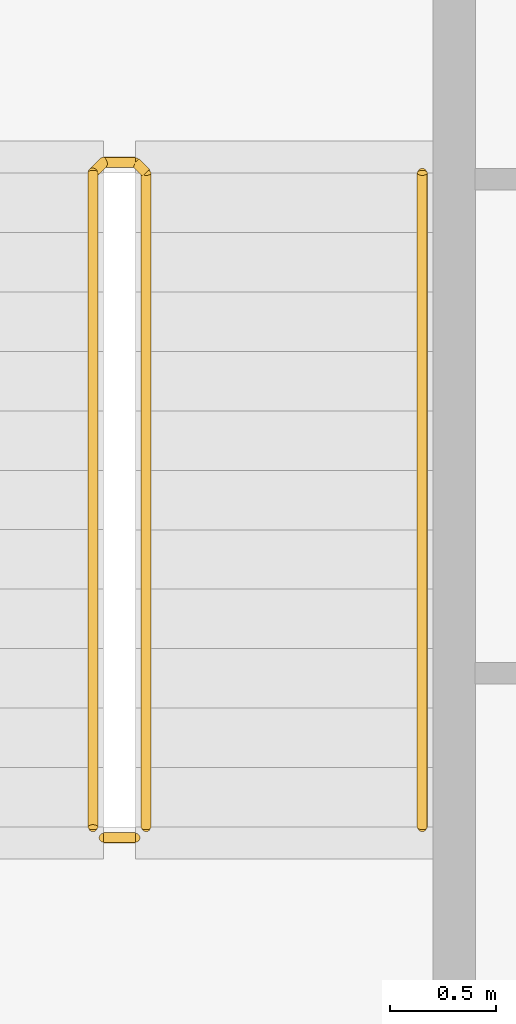
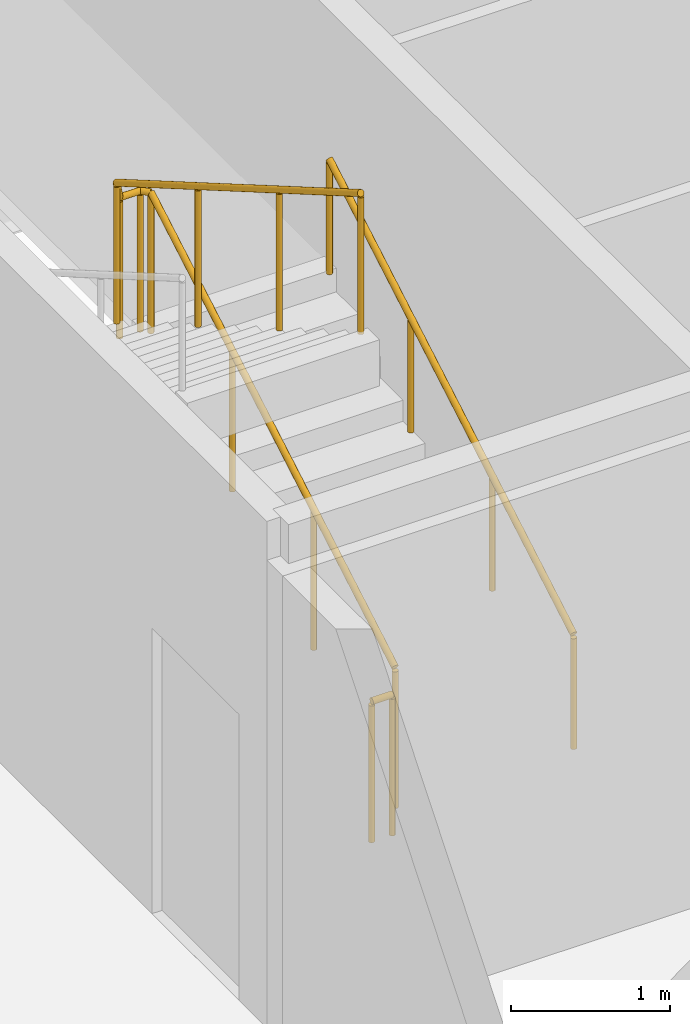
# One storey, part 27 of 28: 3 railings.
"""IFC4 building model written with IfcOpenShell, lengths in metres."""

import ifcopenshell
import ifcopenshell.guid

model = None  # the IFC model being written
_history = None  # IfcOwnerHistory: only IFC2X3 demands one
_inside = {}  # id of a spatial element -> (the spatial element, [elements in it])
_under = {}  # id of a project, library or spatial element -> (it, [spatial elements below it])
_declared = {}  # id of a project -> (the project, [libraries it declares])
_typed = {}  # id of a type object -> (the type object, [elements of that type])
_made_of = {}  # id of a material, layer set ... -> (it, [elements and type objects made of it])


def new_model(schema):
    """Start an empty IFC model of exactly this schema.

    Asked for "IFC4X3", IfcOpenShell would pick the latest addendum, in which some entities
    have other attributes; the version numbers below select the first issue.
    IFC2X3 requires an IfcOwnerHistory on every rooted entity: one is made here for all.
    """
    global model, _history
    if schema == "IFC4X3":
        model = ifcopenshell.file(schema_version=(4, 3, 0, 0))
    else:
        model = ifcopenshell.file(schema=schema)
    _inside.clear()
    _under.clear()
    _declared.clear()
    _typed.clear()
    _made_of.clear()
    _history = None
    if model.schema == "IFC2X3":
        org = make("IfcOrganization", Name="unknown")
        user = make(
            "IfcPersonAndOrganization",
            ThePerson=make("IfcPerson", FamilyName="unknown"),
            TheOrganization=org,
        )
        app = make(
            "IfcApplication",
            ApplicationDeveloper=org,
            Version="unknown",
            ApplicationFullName="unknown",
            ApplicationIdentifier="unknown",
        )
        _history = make(
            "IfcOwnerHistory",
            OwningUser=user,
            OwningApplication=app,
            ChangeAction="ADDED",
            CreationDate=0,
        )
    return model


def make(cls, **values):
    """One entity of the class cls with the attributes given. An attribute that is None is left unset."""
    return model.create_entity(
        cls, **{name: value for name, value in values.items() if value is not None}
    )


def rooted(cls, **values):
    """An entity with a GlobalId (a new one), such as an element, a storey or a relation."""
    return make(cls, GlobalId=ifcopenshell.guid.new(), OwnerHistory=_history, **values)


def si_unit(unit_type, name, prefix=None):
    """IfcSIUnit, for example si_unit("LENGTHUNIT", "METRE", prefix="MILLI")."""
    return make("IfcSIUnit", UnitType=unit_type, Prefix=prefix, Name=name)


def assignment(units):
    """IfcUnitAssignment: the units of a project."""
    return None if units is None else make("IfcUnitAssignment", Units=units)


def point(xyz):
    """IfcCartesianPoint."""
    return None if xyz is None else make("IfcCartesianPoint", Coordinates=xyz)


def direction(xyz):
    """IfcDirection."""
    return None if xyz is None else make("IfcDirection", DirectionRatios=xyz)


def frame(location, z_axis=None, x_axis=None):
    """IfcAxis2Placement3D, a coordinate frame: its origin and axes. An axis left out is left unset."""
    return make(
        "IfcAxis2Placement3D",
        Location=point(location),
        Axis=direction(z_axis),
        RefDirection=direction(x_axis),
    )


def frame_2d(location, x_axis=None):
    """IfcAxis2Placement2D, a coordinate frame in the plane: its origin and x axis."""
    return make(
        "IfcAxis2Placement2D", Location=point(location), RefDirection=direction(x_axis)
    )


def origin():
    """The frame at (0, 0, 0) with its axes left unset."""
    return frame((0.0, 0.0, 0.0))


def origin_2d():
    """The frame at (0, 0) in the plane with its x axis left unset."""
    return frame_2d((0.0, 0.0))


def place(relative_to, where):
    """IfcLocalPlacement: puts the frame where relative to a parent placement (None: the world)."""
    return make(
        "IfcLocalPlacement", PlacementRelTo=relative_to, RelativePlacement=where
    )


def context(
    kind, dimensions, precision=None, world=None, true_north=None, identifier=None
):
    """IfcGeometricRepresentationContext, for example the 3D "Model" context."""
    return make(
        "IfcGeometricRepresentationContext",
        ContextIdentifier=identifier,
        ContextType=kind,
        CoordinateSpaceDimension=dimensions,
        Precision=precision,
        WorldCoordinateSystem=world,
        TrueNorth=true_north,
    )


def subcontext(parent, identifier, kind, view, scale=None):
    """IfcGeometricRepresentationSubContext, for example "Body" below "Model"."""
    return make(
        "IfcGeometricRepresentationSubContext",
        ContextIdentifier=identifier,
        ContextType=kind,
        ParentContext=parent,
        TargetScale=scale,
        TargetView=view,
    )


def project(units=None, contexts=None):
    """IfcProject with its units and contexts."""
    return rooted(
        "IfcProject",
        Name="project",
        RepresentationContexts=contexts,
        UnitsInContext=assignment(units),
    )


def spatial(cls, under=None, at=None, **own):
    """A site, building, storey or space (cls), placed at a placement, below another one or the project."""
    s = rooted(cls, ObjectPlacement=at, **own)
    if under is not None:
        _under.setdefault(under.id(), (under, []))[1].append(s)
    return s


def profile(cls, at=None, kind="AREA", **sizes):
    """A parametric profile (cls). Its sizes go by their IFC names, for example OverallWidth=200.0."""
    return make(cls, ProfileType=kind, Position=at, **sizes)


def circle(**sizes):
    """IfcCircleProfileDef."""
    return profile("IfcCircleProfileDef", **sizes)


def extrude(swept, where, along, depth):
    """IfcExtrudedAreaSolid: the profile swept, set in the frame where, extruded along a direction by depth."""
    return make(
        "IfcExtrudedAreaSolid",
        SweptArea=swept,
        Position=where,
        ExtrudedDirection=direction(along),
        Depth=depth,
    )


def shape(context_of_items, identifier, shape_type, items):
    """IfcShapeRepresentation: the items that make up one representation, for example the "Body"."""
    return make(
        "IfcShapeRepresentation",
        ContextOfItems=context_of_items,
        RepresentationIdentifier=identifier,
        RepresentationType=shape_type,
        Items=items,
    )


def material(Name=None, Category=None):
    """IfcMaterial."""
    return make("IfcMaterial", Name=Name, Category=Category)


def made_of(thing, what):
    """Note that an element or type object is made of a material, layer set ...; save() writes the relation."""
    if what is not None:
        _made_of.setdefault(what.id(), (what, []))[1].append(thing)
    return thing


def type_object(cls, material=None, **own):
    """A type object (cls), such as IfcWallType, which elements share."""
    return made_of(rooted(cls, **own), material)


def element(
    cls,
    number,
    at=None,
    inside=None,
    cuts=None,
    type_object=None,
    material=None,
    context=None,
    identifier="Body",
    shape_type=None,
    held_by="IfcProductDefinitionShape",
    body=None,
    shapes=None,
    **own,
):
    """One element of the class cls, such as IfcWall. Its Tag is "e" and its number.

    at: its placement. inside: the storey or other place that contains it. cuts: it is an
    opening in that element (IfcRelVoidsElement). A single representation is given by context,
    identifier, shape_type and body (its items); several are given by shapes. held_by: the class
    of the entity that holds the representations. save() writes the other relations.
    """
    e = rooted(cls, Tag="e%d" % number, ObjectPlacement=at, **own)
    if body is not None:
        shapes = [shape(context, identifier, shape_type, body)]
    if shapes is not None:
        e.Representation = make(held_by, Representations=shapes)
    if inside is not None:
        _inside.setdefault(inside.id(), (inside, []))[1].append(e)
    if cuts is not None:
        rooted(
            "IfcRelVoidsElement", RelatingBuildingElement=cuts, RelatedOpeningElement=e
        )
    if type_object is not None:
        _typed.setdefault(type_object.id(), (type_object, []))[1].append(e)
    return made_of(e, material)


def aggregate(whole, parts):
    """IfcRelAggregates: a whole, such as a stair, and the parts it consists of."""
    return rooted("IfcRelAggregates", RelatingObject=whole, RelatedObjects=parts)


def save(model, path):
    """Write the relations noted so far, then the file.

    IfcRelAggregates (storeys below a building ...), IfcRelContainedInSpatialStructure (elements
    in a storey), IfcRelDefinesByType, IfcRelAssociatesMaterial and IfcRelDeclares: one each for
    every whole, place, type object, material and project.
    """
    for whole, parts in _under.values():
        aggregate(whole, parts)
    for where, things in _inside.values():
        rooted(
            "IfcRelContainedInSpatialStructure",
            RelatedElements=things,
            RelatingStructure=where,
        )
    for kind, things in _typed.values():
        rooted("IfcRelDefinesByType", RelatedObjects=things, RelatingType=kind)
    for what, things in _made_of.values():
        rooted("IfcRelAssociatesMaterial", RelatedObjects=things, RelatingMaterial=what)
    for by, libraries in _declared.values():
        rooted("IfcRelDeclares", RelatingContext=by, RelatedDefinitions=libraries)
    model.write(path)


model = new_model("IFC4")

# Units and contexts
model_context = context("Model", 3, precision=1e-05, world=origin(), true_north=direction((0.0, 1.0)))
body_context = subcontext(model_context, "Body", "Model", "MODEL_VIEW")
ifc_project = project(units=[si_unit("LENGTHUNIT", "METRE"), si_unit("AREAUNIT", "SQUARE_METRE"), si_unit("VOLUMEUNIT", "CUBIC_METRE"), si_unit("PLANEANGLEUNIT", "RADIAN"), si_unit("MASSUNIT", "GRAM", prefix="KILO")], contexts=[model_context])

# Site, building, storey
site_placement = place(None, origin())
site = spatial("IfcSite", under=ifc_project, at=site_placement, CompositionType="ELEMENT")
building_placement = place(site_placement, origin())
building = spatial("IfcBuilding", under=site, at=building_placement, Name="Kheshtan School and Residences Tower", CompositionType="ELEMENT")
storey_placement = place(building_placement, frame((0.0, 0.0, 73.39990234375)))
storey = spatial("IfcBuildingStorey", under=building, at=storey_placement, Name="L17", CompositionType="ELEMENT", Elevation=73.39990234375)

# Railings
ifc_material_1 = material(Name="Stainless steel balustrade", Category="steel")
railing_type_1 = type_object("IfcRailingType", Name="Stair guard 1100", PredefinedType="GUARDRAIL", material=ifc_material_1)
railing_1_placement = place(storey_placement, frame((35.0, 80.89990234375, 0.16259765625)))
element("IfcRailing", 1, at=railing_1_placement, inside=storey, type_object=railing_type_1, Name="L17 ST3 stair guard 1", PredefinedType="GUARDRAIL", context=body_context, shape_type="SweptSolid", body=[
    extrude(circle(Radius=0.02392578125, at=origin_2d()), frame((0.0, 0.0, 1.076171875), z_axis=(0.0, 0.864890721111, 0.501960198159), x_axis=(-1.0, 0.0, 0.0)), (0.0, 0.0, 1.0), 3.561279296875),
    extrude(circle(Radius=0.02392578125, at=origin_2d()), frame((0.0, 3.080078125, 2.86376953125), z_axis=(-0.707106781187, 0.707106781187, 0.0), x_axis=(-0.707106781187, -0.707106781187, 0.0)), (0.0, 0.0, 1.0), 0.07080078125),
    extrude(circle(Radius=0.02392578125, at=origin_2d()), frame((-0.050048828125, 3.130126953125, 2.86376953125), z_axis=(-1.0, 0.0, 0.0), x_axis=(0.0, -1.0, 0.0)), (0.0, 0.0, 1.0), 0.14990234375),
    extrude(circle(Radius=0.02392578125, at=origin_2d()), frame((-0.199951171875, 3.130126953125, 2.86376953125), z_axis=(-0.282583949758, -0.282583949758, 0.916674763849), x_axis=(0.707106781187, -0.707106781187, 0.0)), (0.0, 0.0, 1.0), 0.177001953125),
    extrude(circle(Radius=0.02392578125, at=origin_2d()), frame((-0.25, 3.080078125, 3.02587890625), z_axis=(0.0, -0.864890721111, 0.501960198159), x_axis=(1.0, 0.0, 0.0)), (0.0, 0.0, 1.0), 3.561279296875),
    extrude(circle(Radius=0.02099609375, at=origin_2d()), origin(), (0.0, 0.0, 1.0), 1.052001953125),
    extrude(circle(Radius=0.02099609375, at=origin_2d()), frame((0.0, 1.026611328125, 0.595947265625)), (0.0, 0.0, 1.0), 1.052001953125),
    extrude(circle(Radius=0.02099609375, at=origin_2d()), frame((0.0, 2.053466796875, 1.191650390625)), (0.0, 0.0, 1.0), 1.052001953125),
    extrude(circle(Radius=0.02099609375, at=origin_2d()), frame((0.0, 3.080078125, 1.78759765625)), (0.0, 0.0, 1.0), 1.052001953125),
    extrude(circle(Radius=0.02099609375, at=origin_2d()), frame((-0.050048828125, 3.130126953125, 1.78759765625)), (0.0, 0.0, 1.0), 1.052001953125),
    extrude(circle(Radius=0.02099609375, at=origin_2d()), frame((-0.199951171875, 3.130126953125, 1.78759765625)), (0.0, 0.0, 1.0), 1.052001953125),
    extrude(circle(Radius=0.02099609375, at=origin_2d()), frame((-0.25, 3.080078125, 1.949951171875)), (0.0, 0.0, 1.0), 1.052001953125),
    extrude(circle(Radius=0.02099609375, at=origin_2d()), frame((-0.25, 2.053466796875, 2.5458984375)), (0.0, 0.0, 1.0), 1.052001953125),
    extrude(circle(Radius=0.02099609375, at=origin_2d()), frame((-0.25, 1.026611328125, 3.1416015625)), (0.0, 0.0, 1.0), 1.052001953125),
    extrude(circle(Radius=0.02099609375, at=origin_2d()), frame((-0.25, 0.0, 3.737548828125)), (0.0, 0.0, 1.0), 1.052001953125),
])
railing_2_placement = place(storey_placement, frame((34.949951171875, 80.85009765625, 0.0)))
element("IfcRailing", 2, at=railing_2_placement, inside=storey, type_object=railing_type_1, Name="L17 ST3 stair guard 2", PredefinedType="GUARDRAIL", context=body_context, shape_type="SweptSolid", body=[
    extrude(circle(Radius=0.02392578125, at=origin_2d()), frame((0.0, 0.0, 1.076171875), z_axis=(-1.0, 0.0, 0.0), x_axis=(0.0, -1.0, 0.0)), (0.0, 0.0, 1.0), 0.14990234375),
    extrude(circle(Radius=0.02099609375, at=origin_2d()), origin(), (0.0, 0.0, 1.0), 1.052001953125),
    extrude(circle(Radius=0.02099609375, at=origin_2d()), frame((-0.14990234375, 0.0, 0.0)), (0.0, 0.0, 1.0), 1.052001953125),
])
ifc_material_2 = material(Name="Stainless steel handrail", Category="steel")
railing_type_2 = type_object("IfcRailingType", Name="Stair handrail 900", PredefinedType="HANDRAIL", material=ifc_material_2)
railing_3_placement = place(storey_placement, frame((36.300048828125, 80.89990234375, 0.16259765625)))
element("IfcRailing", 3, at=railing_3_placement, inside=storey, type_object=railing_type_2, Name="L17 ST3 stair handrail 1", PredefinedType="HANDRAIL", context=body_context, shape_type="SweptSolid", body=[
    extrude(circle(Radius=0.02392578125, at=origin_2d()), frame((0.0, 0.0, 0.8759765625), z_axis=(0.0, 0.864890721111, 0.501960198159), x_axis=(-1.0, 0.0, 0.0)), (0.0, 0.0, 1.0), 3.561279296875),
    extrude(circle(Radius=0.02099609375, at=origin_2d()), origin(), (0.0, 0.0, 1.0), 0.851806640625),
    extrude(circle(Radius=0.02099609375, at=origin_2d()), frame((0.0, 1.026611328125, 0.595947265625)), (0.0, 0.0, 1.0), 0.851806640625),
    extrude(circle(Radius=0.02099609375, at=origin_2d()), frame((0.0, 2.053466796875, 1.191650390625)), (0.0, 0.0, 1.0), 0.851806640625),
    extrude(circle(Radius=0.02099609375, at=origin_2d()), frame((0.0, 3.080078125, 1.78759765625)), (0.0, 0.0, 1.0), 0.851806640625),
])

save(model, "model.ifc")
